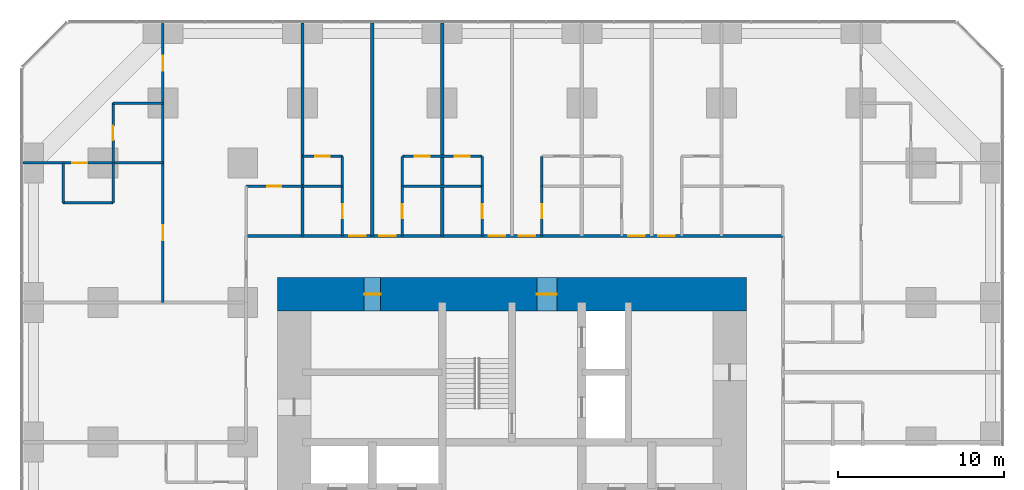
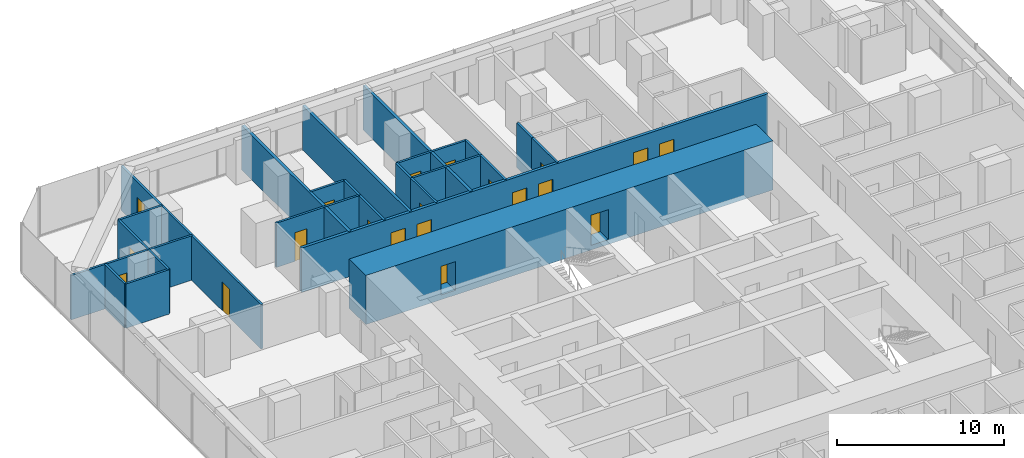
# One storey, part 15 of 18: 25 walls, 20 doors, 20 openings.
"""IFC4 building model written with IfcOpenShell, lengths in metres."""

from ifc_helpers import new_model, si_unit, direction, frame, frame_2d, origin, place, context, subcontext, project, spatial, rectangle, extrude, material, layer, layer_set, type_object, element, fill, save


model = new_model("IFC4")

# Units and contexts
model_context = context("Model", 3, precision=1e-05, world=origin(), true_north=direction((0.0, 1.0)))
body_context = subcontext(model_context, "Body", "Model", "MODEL_VIEW")
ifc_project = project(units=[si_unit("LENGTHUNIT", "METRE"), si_unit("AREAUNIT", "SQUARE_METRE"), si_unit("VOLUMEUNIT", "CUBIC_METRE"), si_unit("PLANEANGLEUNIT", "RADIAN"), si_unit("MASSUNIT", "GRAM", prefix="KILO")], contexts=[model_context])

# Site, building, storey
site_placement = place(None, origin())
site = spatial("IfcSite", under=ifc_project, at=site_placement, CompositionType="ELEMENT")
building_placement = place(site_placement, origin())
building = spatial("IfcBuilding", under=site, at=building_placement, Name="Dunama Terrace Hotel", CompositionType="ELEMENT")
storey_placement = place(building_placement, frame((0.0, 0.0, 27.0)))
storey = spatial("IfcBuildingStorey", under=building, at=storey_placement, Name="L05", CompositionType="ELEMENT", Elevation=27.0)

# Wall, opening, door
ifc_material_1 = material(Name="Gypsum board partition", Category="masonry")
ifc_layer_1 = layer(ifc_material_1, 0.14990234375)
ifc_layer_set_1 = layer_set([ifc_layer_1], Name="Bathroom partition 150")
wall_type_1 = type_object("IfcWallType", Name="Bathroom partition 150", PredefinedType="PARTITIONING", material=ifc_layer_set_1)
wall_1_placement = place(storey_placement, frame((5.39990234375, 50.39990234375, 0.0), z_axis=(0.0, 0.0, 1.0), x_axis=(0.0, 1.0, 0.0)))
wall_1 = element("IfcWall", 1, at=wall_1_placement, inside=storey, type_object=wall_type_1, Name="Bathroom partition 150 L05", PredefinedType="PARTITIONING", context=body_context, shape_type="SweptSolid", body=[
    extrude(rectangle(XDim=3.60009765625, YDim=0.14990234375, at=frame_2d((1.800048828125, 0.0))), origin(), (0.0, 0.0, 1.0), 3.25),
])
opening_1_placement = place(wall_1_placement, frame((1.375, 0.0, 0.0)))
opening_1 = element("IfcOpeningElement", 2, at=opening_1_placement, cuts=wall_1, Name="Opening L05-095", PredefinedType="OPENING", context=body_context, shape_type="SweptSolid", body=[
    extrude(rectangle(XDim=0.85009765625, YDim=2.10009765625, at=frame_2d((0.425048828125, 1.050048828125))), frame((0.0, 0.0849609375, 0.0), z_axis=(0.0, -1.0, 0.0), x_axis=(1.0, 0.0, 0.0)), (0.0, 0.0, 1.0), 0.169921875),
])
ifc_material_2 = material(Name="Timber door with steel frame", Category="steel")
door_type_1 = type_object("IfcDoorType", Name="Bathroom door 850", OperationType="SINGLE_SWING_LEFT", PredefinedType="DOOR", material=ifc_material_2)
door_1_placement = place(opening_1_placement, frame((0.85009765625, 0.0, 0.0), z_axis=(0.0, 0.0, 1.0), x_axis=(-1.0, 0.0, 0.0)))
door_1 = element("IfcDoor", 3, at=door_1_placement, inside=storey, type_object=door_type_1, Name="Door to en-suite bathroom L05-095, type D2", OperationType="SINGLE_SWING_RIGHT", OverallHeight=2.10009765625, OverallWidth=0.85009765625, PredefinedType="DOOR", context=body_context, shape_type="SweptSolid", body=[
    extrude(rectangle(XDim=0.85009765625, YDim=2.10009765625, at=frame_2d((0.425048828125, 1.050048828125))), frame((0.0, 0.025146484375, 0.0), z_axis=(0.0, -1.0, 0.0), x_axis=(1.0, 0.0, 0.0)), (0.0, 0.0, 1.0), 0.050048828125),
])
fill(opening_1, door_1)

wall_2_placement = place(storey_placement, frame((19.199951171875, 46.0, 0.0), z_axis=(0.0, 0.0, 1.0), x_axis=(0.0, 1.0, 0.0)))
wall_2 = element("IfcWall", 4, at=wall_2_placement, inside=storey, type_object=wall_type_1, Name="Bathroom partition 150 L05", PredefinedType="PARTITIONING", context=body_context, shape_type="SweptSolid", body=[
    extrude(rectangle(XDim=3.0, YDim=0.14990234375, at=frame_2d((1.5, 0.0))), origin(), (0.0, 0.0, 1.0), 3.25),
])
opening_2_placement = place(wall_2_placement, frame((1.074951171875, 0.0, 0.0)))
opening_2 = element("IfcOpeningElement", 5, at=opening_2_placement, cuts=wall_2, Name="Opening L05-044", PredefinedType="OPENING", context=body_context, shape_type="SweptSolid", body=[
    extrude(rectangle(XDim=0.85009765625, YDim=2.10009765625, at=frame_2d((0.425048828125, 1.050048828125))), frame((0.0, 0.0849609375, 0.0), z_axis=(0.0, -1.0, 0.0), x_axis=(1.0, 0.0, 0.0)), (0.0, 0.0, 1.0), 0.169921875),
])
door_2_placement = place(opening_2_placement, origin())
door_2 = element("IfcDoor", 6, at=door_2_placement, inside=storey, type_object=door_type_1, Name="Door to en-suite bathroom L05-044, type D2", OperationType="SINGLE_SWING_LEFT", OverallHeight=2.10009765625, OverallWidth=0.85009765625, PredefinedType="DOOR", context=body_context, shape_type="SweptSolid", body=[
    extrude(rectangle(XDim=0.85009765625, YDim=2.10009765625, at=frame_2d((0.425048828125, 1.050048828125))), frame((0.0, 0.02490234375, 0.0), z_axis=(0.0, -1.0, 0.0), x_axis=(1.0, 0.0, 0.0)), (0.0, 0.0, 1.0), 0.050048828125),
])
fill(opening_2, door_2)

wall_3_placement = place(storey_placement, frame((22.800048828125, 46.0, 0.0), z_axis=(0.0, 0.0, 1.0), x_axis=(0.0, 1.0, 0.0)))
wall_3 = element("IfcWall", 7, at=wall_3_placement, inside=storey, type_object=wall_type_1, Name="Bathroom partition 150 L05", PredefinedType="PARTITIONING", context=body_context, shape_type="SweptSolid", body=[
    extrude(rectangle(XDim=3.0, YDim=0.14990234375, at=frame_2d((1.5, 0.0))), origin(), (0.0, 0.0, 1.0), 3.25),
])
opening_3_placement = place(wall_3_placement, frame((1.074951171875, 0.0, 0.0)))
opening_3 = element("IfcOpeningElement", 8, at=opening_3_placement, cuts=wall_3, Name="Opening L05-047", PredefinedType="OPENING", context=body_context, shape_type="SweptSolid", body=[
    extrude(rectangle(XDim=0.85009765625, YDim=2.10009765625, at=frame_2d((0.425048828125, 1.050048828125))), frame((0.0, 0.0849609375, 0.0), z_axis=(0.0, -1.0, 0.0), x_axis=(1.0, 0.0, 0.0)), (0.0, 0.0, 1.0), 0.169921875),
])
door_3_placement = place(opening_3_placement, frame((0.85009765625, 0.0, 0.0), z_axis=(0.0, 0.0, 1.0), x_axis=(-1.0, 0.0, 0.0)))
door_3 = element("IfcDoor", 9, at=door_3_placement, inside=storey, type_object=door_type_1, Name="Door to en-suite bathroom L05-047, type D2", OperationType="SINGLE_SWING_RIGHT", OverallHeight=2.10009765625, OverallWidth=0.85009765625, PredefinedType="DOOR", context=body_context, shape_type="SweptSolid", body=[
    extrude(rectangle(XDim=0.85009765625, YDim=2.10009765625, at=frame_2d((0.425048828125, 1.050048828125))), frame((0.0, 0.025146484375, 0.0), z_axis=(0.0, -1.0, 0.0), x_axis=(1.0, 0.0, 0.0)), (0.0, 0.0, 1.0), 0.050048828125),
])
fill(opening_3, door_3)

wall_4_placement = place(storey_placement, frame((27.60009765625, 46.0, 0.0), z_axis=(0.0, 0.0, 1.0), x_axis=(0.0, 1.0, 0.0)))
wall_4 = element("IfcWall", 10, at=wall_4_placement, inside=storey, type_object=wall_type_1, Name="Bathroom partition 150 L05", PredefinedType="PARTITIONING", context=body_context, shape_type="SweptSolid", body=[
    extrude(rectangle(XDim=3.0, YDim=0.14990234375, at=frame_2d((1.5, 0.0))), origin(), (0.0, 0.0, 1.0), 3.25),
])
opening_4_placement = place(wall_4_placement, frame((1.074951171875, 0.0, 0.0)))
opening_4 = element("IfcOpeningElement", 11, at=opening_4_placement, cuts=wall_4, Name="Opening L05-050", PredefinedType="OPENING", context=body_context, shape_type="SweptSolid", body=[
    extrude(rectangle(XDim=0.85009765625, YDim=2.10009765625, at=frame_2d((0.425048828125, 1.050048828125))), frame((0.0, 0.0849609375, 0.0), z_axis=(0.0, -1.0, 0.0), x_axis=(1.0, 0.0, 0.0)), (0.0, 0.0, 1.0), 0.169921875),
])
door_4_placement = place(opening_4_placement, origin())
door_4 = element("IfcDoor", 12, at=door_4_placement, inside=storey, type_object=door_type_1, Name="Door to en-suite bathroom L05-050, type D2", OperationType="SINGLE_SWING_LEFT", OverallHeight=2.10009765625, OverallWidth=0.85009765625, PredefinedType="DOOR", context=body_context, shape_type="SweptSolid", body=[
    extrude(rectangle(XDim=0.85009765625, YDim=2.10009765625, at=frame_2d((0.425048828125, 1.050048828125))), frame((0.0, 0.02490234375, 0.0), z_axis=(0.0, -1.0, 0.0), x_axis=(1.0, 0.0, 0.0)), (0.0, 0.0, 1.0), 0.050048828125),
])
fill(opening_4, door_4)

wall_5_placement = place(storey_placement, frame((31.199951171875, 46.0, 0.0), z_axis=(0.0, 0.0, 1.0), x_axis=(0.0, 1.0, 0.0)))
wall_5 = element("IfcWall", 13, at=wall_5_placement, inside=storey, type_object=wall_type_1, Name="Bathroom partition 150 L05", PredefinedType="PARTITIONING", context=body_context, shape_type="SweptSolid", body=[
    extrude(rectangle(XDim=3.0, YDim=0.14990234375, at=frame_2d((1.5, 0.0))), origin(), (0.0, 0.0, 1.0), 3.25),
])
opening_5_placement = place(wall_5_placement, frame((1.074951171875, 0.0, 0.0)))
opening_5 = element("IfcOpeningElement", 14, at=opening_5_placement, cuts=wall_5, Name="Opening L05-053", PredefinedType="OPENING", context=body_context, shape_type="SweptSolid", body=[
    extrude(rectangle(XDim=0.85009765625, YDim=2.10009765625, at=frame_2d((0.425048828125, 1.050048828125))), frame((0.0, 0.0849609375, 0.0), z_axis=(0.0, -1.0, 0.0), x_axis=(1.0, 0.0, 0.0)), (0.0, 0.0, 1.0), 0.169921875),
])
door_5_placement = place(opening_5_placement, frame((0.85009765625, 0.0, 0.0), z_axis=(0.0, 0.0, 1.0), x_axis=(-1.0, 0.0, 0.0)))
door_5 = element("IfcDoor", 15, at=door_5_placement, inside=storey, type_object=door_type_1, Name="Door to en-suite bathroom L05-053, type D2", OperationType="SINGLE_SWING_RIGHT", OverallHeight=2.10009765625, OverallWidth=0.85009765625, PredefinedType="DOOR", context=body_context, shape_type="SweptSolid", body=[
    extrude(rectangle(XDim=0.85009765625, YDim=2.10009765625, at=frame_2d((0.425048828125, 1.050048828125))), frame((0.0, 0.025146484375, 0.0), z_axis=(0.0, -1.0, 0.0), x_axis=(1.0, 0.0, 0.0)), (0.0, 0.0, 1.0), 0.050048828125),
])
fill(opening_5, door_5)

wall_6_placement = place(storey_placement, frame((13.39990234375, 49.0, 0.0), z_axis=(0.0, 0.0, 1.0), x_axis=(1.0, 0.0, 0.0)))
wall_6 = element("IfcWall", 16, at=wall_6_placement, inside=storey, type_object=wall_type_1, Name="Bathroom partition 150 L05", PredefinedType="PARTITIONING", context=body_context, shape_type="SweptSolid", body=[
    extrude(rectangle(XDim=3.400146484375, YDim=0.14990234375, at=frame_2d((1.7001953125, 0.0))), origin(), (0.0, 0.0, 1.0), 3.25),
])
opening_6_placement = place(wall_6_placement, frame((1.27490234375, 0.0, 0.0)))
opening_6 = element("IfcOpeningElement", 17, at=opening_6_placement, cuts=wall_6, Name="Opening L05-093", PredefinedType="OPENING", context=body_context, shape_type="SweptSolid", body=[
    extrude(rectangle(XDim=0.85009765625, YDim=2.10009765625, at=frame_2d((0.425048828125, 1.050048828125))), frame((0.0, 0.0849609375, 0.0), z_axis=(0.0, -1.0, 0.0), x_axis=(1.0, 0.0, 0.0)), (0.0, 0.0, 1.0), 0.169921875),
])
door_6_placement = place(opening_6_placement, frame((0.85009765625, 0.0, 0.0), z_axis=(0.0, 0.0, 1.0), x_axis=(-1.0, 0.0, 0.0)))
door_6 = element("IfcDoor", 18, at=door_6_placement, inside=storey, type_object=door_type_1, Name="Door to powder room L05-093, type D2", OperationType="SINGLE_SWING_RIGHT", OverallHeight=2.10009765625, OverallWidth=0.85009765625, PredefinedType="DOOR", context=body_context, shape_type="SweptSolid", body=[
    extrude(rectangle(XDim=0.85009765625, YDim=2.10009765625, at=frame_2d((0.425048828125, 1.050048828125))), frame((0.0, 0.025146484375, 0.0), z_axis=(0.0, -1.0, 0.0), x_axis=(1.0, 0.0, 0.0)), (0.0, 0.0, 1.0), 0.050048828125),
])
fill(opening_6, door_6)

# Wall
wall_7_placement = place(storey_placement, frame((5.39990234375, 54.0, 0.0), z_axis=(0.0, 0.0, 1.0), x_axis=(1.0, 0.0, 0.0)))
element("IfcWall", 19, at=wall_7_placement, inside=storey, type_object=wall_type_1, Name="Bathroom partition 150 L05", PredefinedType="PARTITIONING", context=body_context, shape_type="SweptSolid", body=[
    extrude(rectangle(XDim=3.0, YDim=0.14990234375, at=frame_2d((1.5, 0.0))), origin(), (0.0, 0.0, 1.0), 3.25),
])

# Wall, openings, doors
ifc_material_3 = material(Name="Concrete C60/75", Category="concrete")
ifc_layer_2 = layer(ifc_material_3, 2.0)
ifc_layer_set_2 = layer_set([ifc_layer_2], Name="Core wall 2000")
wall_type_2 = type_object("IfcWallType", Name="Core wall 2000", PredefinedType="SHEAR", material=ifc_layer_set_2)
wall_8_placement = place(storey_placement, frame((43.5, 42.5, -0.35009765625), z_axis=(0.0, 0.0, 1.0), x_axis=(-1.0, 0.0, 0.0)))
wall_8 = element("IfcWall", 20, at=wall_8_placement, inside=storey, type_object=wall_type_2, Name="Core wall north L05", PredefinedType="SHEAR", context=body_context, shape_type="SweptSolid", body=[
    extrude(rectangle(XDim=28.199951171875, YDim=2.0, at=frame_2d((14.10009765625, 0.0))), origin(), (0.0, 0.0, 1.0), 3.60009765625),
])
opening_7_placement = place(wall_8_placement, frame((22.0, 0.0, 0.35009765625)))
opening_7 = element("IfcOpeningElement", 21, at=opening_7_placement, cuts=wall_8, Name="Opening L05-101", PredefinedType="OPENING", context=body_context, shape_type="SweptSolid", body=[
    extrude(rectangle(XDim=1.0, YDim=2.10009765625, at=frame_2d((0.5, 1.050048828125))), frame((0.0, 1.010009765625, 0.0), z_axis=(0.0, -1.0, 0.0), x_axis=(1.0, 0.0, 0.0)), (0.0, 0.0, 1.0), 2.02001953125),
])
opening_8_placement = place(wall_8_placement, frame((11.39990234375, 0.0, 0.35009765625)))
opening_8 = element("IfcOpeningElement", 22, at=opening_8_placement, cuts=wall_8, Name="Opening L05-107", PredefinedType="OPENING", context=body_context, shape_type="SweptSolid", body=[
    extrude(rectangle(XDim=1.199951171875, YDim=2.199951171875, at=frame_2d((0.60009765625, 1.10009765625))), frame((0.0, 1.010009765625, 0.0), z_axis=(0.0, -1.0, 0.0), x_axis=(1.0, 0.0, 0.0)), (0.0, 0.0, 1.0), 2.02001953125),
])
ifc_material_4 = material(Name="Timber door with steel frame", Category="steel")
door_type_2 = type_object("IfcDoorType", Name="Firefighting lobby door 1200", OperationType="SINGLE_SWING_LEFT", PredefinedType="DOOR", material=ifc_material_4)
door_7_placement = place(opening_8_placement, origin())
door_7 = element("IfcDoor", 23, at=door_7_placement, inside=storey, type_object=door_type_2, Name="Door to firefighting lobby L05-107, type D4", OperationType="SINGLE_SWING_LEFT", OverallHeight=2.199951171875, OverallWidth=1.199951171875, PredefinedType="DOOR", context=body_context, shape_type="SweptSolid", body=[
    extrude(rectangle(XDim=1.199951171875, YDim=2.199951171875, at=frame_2d((0.60009765625, 1.10009765625))), frame((0.0, 0.02490234375, 0.0), z_axis=(0.0, -1.0, 0.0), x_axis=(1.0, 0.0, 0.0)), (0.0, 0.0, 1.0), 0.050048828125),
])
fill(opening_8, door_7)
ifc_material_5 = material(Name="Timber door with steel frame", Category="steel")
door_type_3 = type_object("IfcDoorType", Name="Service door 1000", OperationType="SINGLE_SWING_LEFT", PredefinedType="DOOR", material=ifc_material_5)
door_8_placement = place(opening_7_placement, origin())
door_8 = element("IfcDoor", 24, at=door_8_placement, inside=storey, type_object=door_type_3, Name="Door to communications and riser room L05-101, type D7", OperationType="SINGLE_SWING_RIGHT", OverallHeight=2.10009765625, OverallWidth=1.0, PredefinedType="DOOR", context=body_context, shape_type="SweptSolid", body=[
    extrude(rectangle(XDim=1.0, YDim=2.10009765625, at=frame_2d((0.5, 1.050048828125))), frame((0.0, 0.02490234375, 0.0), z_axis=(0.0, -1.0, 0.0), x_axis=(1.0, 0.0, 0.0)), (0.0, 0.0, 1.0), 0.050048828125),
])
fill(opening_7, door_8)

ifc_material_6 = material(Name="Concrete blockwork", Category="masonry")
ifc_layer_3 = layer(ifc_material_6, 0.199951171875)
ifc_layer_set_3 = layer_set([ifc_layer_3], Name="Corridor partition 200")
wall_type_3 = type_object("IfcWallType", Name="Corridor partition 200", PredefinedType="PARTITIONING", material=ifc_layer_set_3)
wall_9_placement = place(storey_placement, frame((13.39990234375, 46.0, 0.0), z_axis=(0.0, 0.0, 1.0), x_axis=(1.0, 0.0, 0.0)))
wall_9 = element("IfcWall", 25, at=wall_9_placement, inside=storey, type_object=wall_type_3, Name="Corridor partition 200 L05", PredefinedType="PARTITIONING", context=body_context, shape_type="SweptSolid", body=[
    extrude(rectangle(XDim=32.300048828125, YDim=0.199951171875, at=frame_2d((16.14990234375, 0.0))), origin(), (0.0, 0.0, 1.0), 3.25),
])
opening_9_placement = place(wall_9_placement, frame((6.199951171875, 0.0, 0.0)))
opening_9 = element("IfcOpeningElement", 26, at=opening_9_placement, cuts=wall_9, Name="Opening L05-043", PredefinedType="OPENING", context=body_context, shape_type="SweptSolid", body=[
    extrude(rectangle(XDim=1.0, YDim=2.199951171875, at=frame_2d((0.5, 1.10009765625))), frame((0.0, 0.10986328125, 0.0), z_axis=(0.0, -1.0, 0.0), x_axis=(1.0, 0.0, 0.0)), (0.0, 0.0, 1.0), 0.219970703125),
])
opening_10_placement = place(wall_9_placement, frame((8.0, 0.0, 0.0)))
opening_10 = element("IfcOpeningElement", 27, at=opening_10_placement, cuts=wall_9, Name="Opening L05-046", PredefinedType="OPENING", context=body_context, shape_type="SweptSolid", body=[
    extrude(rectangle(XDim=1.0, YDim=2.199951171875, at=frame_2d((0.5, 1.10009765625))), frame((0.0, 0.10986328125, 0.0), z_axis=(0.0, -1.0, 0.0), x_axis=(1.0, 0.0, 0.0)), (0.0, 0.0, 1.0), 0.219970703125),
])
opening_11_placement = place(wall_9_placement, frame((14.60009765625, 0.0, 0.0)))
opening_11 = element("IfcOpeningElement", 28, at=opening_11_placement, cuts=wall_9, Name="Opening L05-049", PredefinedType="OPENING", context=body_context, shape_type="SweptSolid", body=[
    extrude(rectangle(XDim=1.0, YDim=2.199951171875, at=frame_2d((0.5, 1.10009765625))), frame((0.0, 0.10986328125, 0.0), z_axis=(0.0, -1.0, 0.0), x_axis=(1.0, 0.0, 0.0)), (0.0, 0.0, 1.0), 0.219970703125),
])
opening_12_placement = place(wall_9_placement, frame((16.39990234375, 0.0, 0.0)))
opening_12 = element("IfcOpeningElement", 29, at=opening_12_placement, cuts=wall_9, Name="Opening L05-052", PredefinedType="OPENING", context=body_context, shape_type="SweptSolid", body=[
    extrude(rectangle(XDim=1.0, YDim=2.199951171875, at=frame_2d((0.5, 1.10009765625))), frame((0.0, 0.10986328125, 0.0), z_axis=(0.0, -1.0, 0.0), x_axis=(1.0, 0.0, 0.0)), (0.0, 0.0, 1.0), 0.219970703125),
])
opening_13_placement = place(wall_9_placement, frame((23.0, 0.0, 0.0)))
opening_13 = element("IfcOpeningElement", 30, at=opening_13_placement, cuts=wall_9, Name="Opening L05-055", PredefinedType="OPENING", context=body_context, shape_type="SweptSolid", body=[
    extrude(rectangle(XDim=1.0, YDim=2.199951171875, at=frame_2d((0.5, 1.10009765625))), frame((0.0, 0.10986328125, 0.0), z_axis=(0.0, -1.0, 0.0), x_axis=(1.0, 0.0, 0.0)), (0.0, 0.0, 1.0), 0.219970703125),
])
opening_14_placement = place(wall_9_placement, frame((24.800048828125, 0.0, 0.0)))
opening_14 = element("IfcOpeningElement", 31, at=opening_14_placement, cuts=wall_9, Name="Opening L05-058", PredefinedType="OPENING", context=body_context, shape_type="SweptSolid", body=[
    extrude(rectangle(XDim=1.0, YDim=2.199951171875, at=frame_2d((0.5, 1.10009765625))), frame((0.0, 0.10986328125, 0.0), z_axis=(0.0, -1.0, 0.0), x_axis=(1.0, 0.0, 0.0)), (0.0, 0.0, 1.0), 0.219970703125),
])
ifc_material_7 = material(Name="Timber door with steel frame", Category="steel")
door_type_4 = type_object("IfcDoorType", Name="Guest room door 1000", OperationType="SINGLE_SWING_LEFT", PredefinedType="DOOR", material=ifc_material_7)
door_9_placement = place(opening_9_placement, origin())
door_9 = element("IfcDoor", 32, at=door_9_placement, inside=storey, type_object=door_type_4, Name="Door to deluxe room L05-043, type D1", OperationType="SINGLE_SWING_RIGHT", OverallHeight=2.199951171875, OverallWidth=1.0, PredefinedType="DOOR", context=body_context, shape_type="SweptSolid", body=[
    extrude(rectangle(XDim=1.0, YDim=2.199951171875, at=frame_2d((0.5, 1.10009765625))), frame((0.0, 0.02490234375, 0.0), z_axis=(0.0, -1.0, 0.0), x_axis=(1.0, 0.0, 0.0)), (0.0, 0.0, 1.0), 0.050048828125),
])
fill(opening_9, door_9)
door_10_placement = place(opening_10_placement, origin())
door_10 = element("IfcDoor", 33, at=door_10_placement, inside=storey, type_object=door_type_4, Name="Door to deluxe room L05-046, type D1", OperationType="SINGLE_SWING_LEFT", OverallHeight=2.199951171875, OverallWidth=1.0, PredefinedType="DOOR", context=body_context, shape_type="SweptSolid", body=[
    extrude(rectangle(XDim=1.0, YDim=2.199951171875, at=frame_2d((0.5, 1.10009765625))), frame((0.0, 0.02490234375, 0.0), z_axis=(0.0, -1.0, 0.0), x_axis=(1.0, 0.0, 0.0)), (0.0, 0.0, 1.0), 0.050048828125),
])
fill(opening_10, door_10)
door_11_placement = place(opening_11_placement, origin())
door_11 = element("IfcDoor", 34, at=door_11_placement, inside=storey, type_object=door_type_4, Name="Door to deluxe room L05-049, type D1", OperationType="SINGLE_SWING_RIGHT", OverallHeight=2.199951171875, OverallWidth=1.0, PredefinedType="DOOR", context=body_context, shape_type="SweptSolid", body=[
    extrude(rectangle(XDim=1.0, YDim=2.199951171875, at=frame_2d((0.5, 1.10009765625))), frame((0.0, 0.02490234375, 0.0), z_axis=(0.0, -1.0, 0.0), x_axis=(1.0, 0.0, 0.0)), (0.0, 0.0, 1.0), 0.050048828125),
])
fill(opening_11, door_11)
door_12_placement = place(opening_12_placement, origin())
door_12 = element("IfcDoor", 35, at=door_12_placement, inside=storey, type_object=door_type_4, Name="Door to deluxe room L05-052, type D1", OperationType="SINGLE_SWING_LEFT", OverallHeight=2.199951171875, OverallWidth=1.0, PredefinedType="DOOR", context=body_context, shape_type="SweptSolid", body=[
    extrude(rectangle(XDim=1.0, YDim=2.199951171875, at=frame_2d((0.5, 1.10009765625))), frame((0.0, 0.02490234375, 0.0), z_axis=(0.0, -1.0, 0.0), x_axis=(1.0, 0.0, 0.0)), (0.0, 0.0, 1.0), 0.050048828125),
])
fill(opening_12, door_12)
door_13_placement = place(opening_13_placement, origin())
door_13 = element("IfcDoor", 36, at=door_13_placement, inside=storey, type_object=door_type_4, Name="Door to deluxe room L05-055, type D1", OperationType="SINGLE_SWING_RIGHT", OverallHeight=2.199951171875, OverallWidth=1.0, PredefinedType="DOOR", context=body_context, shape_type="SweptSolid", body=[
    extrude(rectangle(XDim=1.0, YDim=2.199951171875, at=frame_2d((0.5, 1.10009765625))), frame((0.0, 0.02490234375, 0.0), z_axis=(0.0, -1.0, 0.0), x_axis=(1.0, 0.0, 0.0)), (0.0, 0.0, 1.0), 0.050048828125),
])
fill(opening_13, door_13)
door_14_placement = place(opening_14_placement, origin())
door_14 = element("IfcDoor", 37, at=door_14_placement, inside=storey, type_object=door_type_4, Name="Door to deluxe room L05-058, type D1", OperationType="SINGLE_SWING_LEFT", OverallHeight=2.199951171875, OverallWidth=1.0, PredefinedType="DOOR", context=body_context, shape_type="SweptSolid", body=[
    extrude(rectangle(XDim=1.0, YDim=2.199951171875, at=frame_2d((0.5, 1.10009765625))), frame((0.0, 0.02490234375, 0.0), z_axis=(0.0, -1.0, 0.0), x_axis=(1.0, 0.0, 0.0)), (0.0, 0.0, 1.0), 0.050048828125),
])
fill(opening_14, door_14)

# Walls
ifc_material_8 = material(Name="Concrete blockwork", Category="masonry")
ifc_layer_4 = layer(ifc_material_8, 0.199951171875)
ifc_layer_set_4 = layer_set([ifc_layer_4], Name="Party wall 200")
wall_type_4 = type_object("IfcWallType", Name="Party wall 200", PredefinedType="PARTITIONING", material=ifc_layer_set_4)
for number, where, z_axis, x_axis, name in (
    (38, (16.800048828125, 46.0, 0.0), (0.0, 0.0, 1.0), (0.0, 1.0, 0.0), "Party wall 200 L05"),
    (39, (21.0, 46.0, 0.0), (0.0, 0.0, 1.0), (0.0, 1.0, 0.0), "Party wall 200 L05"),
    (40, (25.199951171875, 46.0, 0.0), (0.0, 0.0, 1.0), (0.0, 1.0, 0.0), "Party wall 200 L05"),
):
    element("IfcWall", number, at=place(storey_placement, frame(where, z_axis=z_axis, x_axis=x_axis)), inside=storey, type_object=wall_type_4, Name=name, PredefinedType="PARTITIONING", context=body_context, shape_type="SweptSolid", body=[
        extrude(rectangle(XDim=12.80810546875, YDim=0.199951171875, at=frame_2d((6.404052734375, 0.0))), origin(), (0.0, 0.0, 1.0), 3.25),
    ])
ifc_material_9 = material(Name="Gypsum board partition", Category="masonry")
ifc_layer_5 = layer(ifc_material_9, 0.14990234375)
ifc_layer_set_5 = layer_set([ifc_layer_5], Name="Room partition 150")
wall_type_5 = type_object("IfcWallType", Name="Room partition 150", PredefinedType="PARTITIONING", material=ifc_layer_set_5)
for number, where, z_axis, x_axis, name in (
    (41, (2.39990234375, 48.0, 0.0), (0.0, 0.0, 1.0), (0.0, 1.0, 0.0), "Room partition 150 L05"),
    (42, (5.39990234375, 48.0, 0.0), (0.0, 0.0, 1.0), (0.0, 1.0, 0.0), "Room partition 150 L05"),
):
    element("IfcWall", number, at=place(storey_placement, frame(where, z_axis=z_axis, x_axis=x_axis)), inside=storey, type_object=wall_type_5, Name=name, PredefinedType="PARTITIONING", context=body_context, shape_type="SweptSolid", body=[
        extrude(rectangle(XDim=2.39990234375, YDim=0.14990234375, at=frame_2d((1.199951171875, 0.0))), origin(), (0.0, 0.0, 1.0), 3.25),
    ])

# Wall, openings, doors
wall_10_placement = place(storey_placement, frame((8.39990234375, 42.0, 0.0), z_axis=(0.0, 0.0, 1.0), x_axis=(0.0, 1.0, 0.0)))
wall_10 = element("IfcWall", 43, at=wall_10_placement, inside=storey, type_object=wall_type_5, Name="Room partition 150 L05", PredefinedType="PARTITIONING", context=body_context, shape_type="SweptSolid", body=[
    extrude(rectangle(XDim=16.80810546875, YDim=0.14990234375, at=frame_2d((8.404052734375, 0.0))), origin(), (0.0, 0.0, 1.0), 3.25),
])
opening_15_placement = place(wall_10_placement, frame((13.949951171875, 0.0, 0.0)))
opening_15 = element("IfcOpeningElement", 44, at=opening_15_placement, cuts=wall_10, Name="Opening L05-094", PredefinedType="OPENING", context=body_context, shape_type="SweptSolid", body=[
    extrude(rectangle(XDim=0.89990234375, YDim=2.10009765625, at=frame_2d((0.449951171875, 1.050048828125))), frame((0.0, 0.0849609375, 0.0), z_axis=(0.0, -1.0, 0.0), x_axis=(1.0, 0.0, 0.0)), (0.0, 0.0, 1.0), 0.169921875),
])
opening_16_placement = place(wall_10_placement, frame((3.75, 0.0, 0.0)))
opening_16 = element("IfcOpeningElement", 45, at=opening_16_placement, cuts=wall_10, Name="Opening L05-097", PredefinedType="OPENING", context=body_context, shape_type="SweptSolid", body=[
    extrude(rectangle(XDim=0.89990234375, YDim=2.10009765625, at=frame_2d((0.449951171875, 1.050048828125))), frame((0.0, 0.0849609375, 0.0), z_axis=(0.0, -1.0, 0.0), x_axis=(1.0, 0.0, 0.0)), (0.0, 0.0, 1.0), 0.169921875),
])
ifc_material_10 = material(Name="Timber door with steel frame", Category="steel")
door_type_5 = type_object("IfcDoorType", Name="Suite internal door 900", OperationType="SINGLE_SWING_LEFT", PredefinedType="DOOR", material=ifc_material_10)
door_15_placement = place(opening_15_placement, origin())
door_15 = element("IfcDoor", 46, at=door_15_placement, inside=storey, type_object=door_type_5, Name="Door to corner suite bedroom L05-094, type D16", OperationType="SINGLE_SWING_RIGHT", OverallHeight=2.10009765625, OverallWidth=0.89990234375, PredefinedType="DOOR", context=body_context, shape_type="SweptSolid", body=[
    extrude(rectangle(XDim=0.89990234375, YDim=2.10009765625, at=frame_2d((0.449951171875, 1.050048828125))), frame((0.0, 0.02490234375, 0.0), z_axis=(0.0, -1.0, 0.0), x_axis=(1.0, 0.0, 0.0)), (0.0, 0.0, 1.0), 0.050048828125),
])
fill(opening_15, door_15)
door_16_placement = place(opening_16_placement, origin())
door_16 = element("IfcDoor", 47, at=door_16_placement, inside=storey, type_object=door_type_5, Name="Door to corner suite study L05-097, type D16", OperationType="SINGLE_SWING_RIGHT", OverallHeight=2.10009765625, OverallWidth=0.89990234375, PredefinedType="DOOR", context=body_context, shape_type="SweptSolid", body=[
    extrude(rectangle(XDim=0.89990234375, YDim=2.10009765625, at=frame_2d((0.449951171875, 1.050048828125))), frame((0.0, 0.02490234375, 0.0), z_axis=(0.0, -1.0, 0.0), x_axis=(1.0, 0.0, 0.0)), (0.0, 0.0, 1.0), 0.050048828125),
])
fill(opening_16, door_16)

# Walls
for number, where, z_axis, x_axis, name in (
    (48, (19.199951171875, 49.0, 0.0), (0.0, 0.0, 1.0), (0.0, 1.0, 0.0), "Room partition 150 L05"),
    (49, (22.800048828125, 49.0, 0.0), (0.0, 0.0, 1.0), (0.0, 1.0, 0.0), "Room partition 150 L05"),
    (50, (27.60009765625, 49.0, 0.0), (0.0, 0.0, 1.0), (0.0, 1.0, 0.0), "Room partition 150 L05"),
    (51, (31.199951171875, 49.0, 0.0), (0.0, 0.0, 1.0), (0.0, 1.0, 0.0), "Room partition 150 L05"),
):
    element("IfcWall", number, at=place(storey_placement, frame(where, z_axis=z_axis, x_axis=x_axis)), inside=storey, type_object=wall_type_5, Name=name, PredefinedType="PARTITIONING", context=body_context, shape_type="SweptSolid", body=[
        extrude(rectangle(XDim=1.800048828125, YDim=0.14990234375, at=frame_2d((0.89990234375, 0.0))), origin(), (0.0, 0.0, 1.0), 3.25),
    ])
wall_11_placement = place(storey_placement, frame((2.39990234375, 48.0, 0.0), z_axis=(0.0, 0.0, 1.0), x_axis=(1.0, 0.0, 0.0)))
element("IfcWall", 52, at=wall_11_placement, inside=storey, type_object=wall_type_5, Name="Room partition 150 L05", PredefinedType="PARTITIONING", context=body_context, shape_type="SweptSolid", body=[
    extrude(rectangle(XDim=3.0, YDim=0.14990234375, at=frame_2d((1.5, 0.0))), origin(), (0.0, 0.0, 1.0), 3.25),
])
wall_12_placement = place(storey_placement, frame((16.800048828125, 49.0, 0.0), z_axis=(0.0, 0.0, 1.0), x_axis=(1.0, 0.0, 0.0)))
element("IfcWall", 53, at=wall_12_placement, inside=storey, type_object=wall_type_5, Name="Room partition 150 L05", PredefinedType="PARTITIONING", context=body_context, shape_type="SweptSolid", body=[
    extrude(rectangle(XDim=2.39990234375, YDim=0.14990234375, at=frame_2d((1.199951171875, 0.0))), origin(), (0.0, 0.0, 1.0), 3.25),
])
wall_13_placement = place(storey_placement, frame((22.800048828125, 49.0, 0.0), z_axis=(0.0, 0.0, 1.0), x_axis=(1.0, 0.0, 0.0)))
element("IfcWall", 54, at=wall_13_placement, inside=storey, type_object=wall_type_5, Name="Room partition 150 L05", PredefinedType="PARTITIONING", context=body_context, shape_type="SweptSolid", body=[
    extrude(rectangle(XDim=4.800048828125, YDim=0.14990234375, at=frame_2d((2.39990234375, 0.0))), origin(), (0.0, 0.0, 1.0), 3.25),
])

# Wall, opening, door
wall_14_placement = place(storey_placement, frame((-0.008056640625, 50.39990234375, 0.0), z_axis=(0.0, 0.0, 1.0), x_axis=(1.0, 0.0, 0.0)))
wall_14 = element("IfcWall", 55, at=wall_14_placement, inside=storey, type_object=wall_type_5, Name="Room partition 150 L05", PredefinedType="PARTITIONING", context=body_context, shape_type="SweptSolid", body=[
    extrude(rectangle(XDim=8.407958984375, YDim=0.14990234375, at=frame_2d((4.2041015625, 0.0))), origin(), (0.0, 0.0, 1.0), 3.25),
])
opening_17_placement = place(wall_14_placement, frame((2.9580078125, 0.0, 0.0)))
opening_17 = element("IfcOpeningElement", 56, at=opening_17_placement, cuts=wall_14, Name="Opening L05-096", PredefinedType="OPENING", context=body_context, shape_type="SweptSolid", body=[
    extrude(rectangle(XDim=0.89990234375, YDim=2.10009765625, at=frame_2d((0.449951171875, 1.050048828125))), frame((0.0, 0.0849609375, 0.0), z_axis=(0.0, -1.0, 0.0), x_axis=(1.0, 0.0, 0.0)), (0.0, 0.0, 1.0), 0.169921875),
])
door_17_placement = place(opening_17_placement, frame((0.89990234375, 0.0, 0.0), z_axis=(0.0, 0.0, 1.0), x_axis=(-1.0, 0.0, 0.0)))
door_17 = element("IfcDoor", 57, at=door_17_placement, inside=storey, type_object=door_type_5, Name="Door to dressing room L05-096, type D16", OperationType="SINGLE_SWING_LEFT", OverallHeight=2.10009765625, OverallWidth=0.89990234375, PredefinedType="DOOR", context=body_context, shape_type="SweptSolid", body=[
    extrude(rectangle(XDim=0.89990234375, YDim=2.10009765625, at=frame_2d((0.449951171875, 1.050048828125))), frame((0.0, 0.025146484375, 0.0), z_axis=(0.0, -1.0, 0.0), x_axis=(1.0, 0.0, 0.0)), (0.0, 0.0, 1.0), 0.050048828125),
])
fill(opening_17, door_17)

wall_15_placement = place(storey_placement, frame((16.800048828125, 50.800048828125, 0.0), z_axis=(0.0, 0.0, 1.0), x_axis=(1.0, 0.0, 0.0)))
wall_15 = element("IfcWall", 58, at=wall_15_placement, inside=storey, type_object=wall_type_5, Name="Room partition 150 L05", PredefinedType="PARTITIONING", context=body_context, shape_type="SweptSolid", body=[
    extrude(rectangle(XDim=2.39990234375, YDim=0.14990234375, at=frame_2d((1.199951171875, 0.0))), origin(), (0.0, 0.0, 1.0), 3.25),
])
opening_18_placement = place(wall_15_placement, frame((0.75, 0.0, 0.0)))
opening_18 = element("IfcOpeningElement", 59, at=opening_18_placement, cuts=wall_15, Name="Opening L05-045", PredefinedType="OPENING", context=body_context, shape_type="SweptSolid", body=[
    extrude(rectangle(XDim=0.89990234375, YDim=2.10009765625, at=frame_2d((0.449951171875, 1.050048828125))), frame((0.0, 0.0849609375, 0.0), z_axis=(0.0, -1.0, 0.0), x_axis=(1.0, 0.0, 0.0)), (0.0, 0.0, 1.0), 0.169921875),
])
door_18_placement = place(opening_18_placement, frame((0.89990234375, 0.0, 0.0), z_axis=(0.0, 0.0, 1.0), x_axis=(-1.0, 0.0, 0.0)))
door_18 = element("IfcDoor", 60, at=door_18_placement, inside=storey, type_object=door_type_5, Name="Door to walk-in wardrobe L05-045, type D16", OperationType="SINGLE_SWING_RIGHT", OverallHeight=2.10009765625, OverallWidth=0.89990234375, PredefinedType="DOOR", context=body_context, shape_type="SweptSolid", body=[
    extrude(rectangle(XDim=0.89990234375, YDim=2.10009765625, at=frame_2d((0.449951171875, 1.050048828125))), frame((0.0, 0.025146484375, 0.0), z_axis=(0.0, -1.0, 0.0), x_axis=(1.0, 0.0, 0.0)), (0.0, 0.0, 1.0), 0.050048828125),
])
fill(opening_18, door_18)

# Wall, openings, doors
wall_16_placement = place(storey_placement, frame((22.800048828125, 50.800048828125, 0.0), z_axis=(0.0, 0.0, 1.0), x_axis=(1.0, 0.0, 0.0)))
wall_16 = element("IfcWall", 61, at=wall_16_placement, inside=storey, type_object=wall_type_5, Name="Room partition 150 L05", PredefinedType="PARTITIONING", context=body_context, shape_type="SweptSolid", body=[
    extrude(rectangle(XDim=4.800048828125, YDim=0.14990234375, at=frame_2d((2.39990234375, 0.0))), origin(), (0.0, 0.0, 1.0), 3.25),
])
opening_19_placement = place(wall_16_placement, frame((0.75, 0.0, 0.0)))
opening_19 = element("IfcOpeningElement", 62, at=opening_19_placement, cuts=wall_16, Name="Opening L05-048", PredefinedType="OPENING", context=body_context, shape_type="SweptSolid", body=[
    extrude(rectangle(XDim=0.89990234375, YDim=2.10009765625, at=frame_2d((0.449951171875, 1.050048828125))), frame((0.0, 0.0849609375, 0.0), z_axis=(0.0, -1.0, 0.0), x_axis=(1.0, 0.0, 0.0)), (0.0, 0.0, 1.0), 0.169921875),
])
opening_20_placement = place(wall_16_placement, frame((3.14990234375, 0.0, 0.0)))
opening_20 = element("IfcOpeningElement", 63, at=opening_20_placement, cuts=wall_16, Name="Opening L05-051", PredefinedType="OPENING", context=body_context, shape_type="SweptSolid", body=[
    extrude(rectangle(XDim=0.89990234375, YDim=2.10009765625, at=frame_2d((0.449951171875, 1.050048828125))), frame((0.0, 0.0849609375, 0.0), z_axis=(0.0, -1.0, 0.0), x_axis=(1.0, 0.0, 0.0)), (0.0, 0.0, 1.0), 0.169921875),
])
door_19_placement = place(opening_19_placement, frame((0.89990234375, 0.0, 0.0), z_axis=(0.0, 0.0, 1.0), x_axis=(-1.0, 0.0, 0.0)))
door_19 = element("IfcDoor", 64, at=door_19_placement, inside=storey, type_object=door_type_5, Name="Door to walk-in wardrobe L05-048, type D16", OperationType="SINGLE_SWING_LEFT", OverallHeight=2.10009765625, OverallWidth=0.89990234375, PredefinedType="DOOR", context=body_context, shape_type="SweptSolid", body=[
    extrude(rectangle(XDim=0.89990234375, YDim=2.10009765625, at=frame_2d((0.449951171875, 1.050048828125))), frame((0.0, 0.025146484375, 0.0), z_axis=(0.0, -1.0, 0.0), x_axis=(1.0, 0.0, 0.0)), (0.0, 0.0, 1.0), 0.050048828125),
])
fill(opening_19, door_19)
door_20_placement = place(opening_20_placement, frame((0.89990234375, 0.0, 0.0), z_axis=(0.0, 0.0, 1.0), x_axis=(-1.0, 0.0, 0.0)))
door_20 = element("IfcDoor", 65, at=door_20_placement, inside=storey, type_object=door_type_5, Name="Door to walk-in wardrobe L05-051, type D16", OperationType="SINGLE_SWING_RIGHT", OverallHeight=2.10009765625, OverallWidth=0.89990234375, PredefinedType="DOOR", context=body_context, shape_type="SweptSolid", body=[
    extrude(rectangle(XDim=0.89990234375, YDim=2.10009765625, at=frame_2d((0.449951171875, 1.050048828125))), frame((0.0, 0.025146484375, 0.0), z_axis=(0.0, -1.0, 0.0), x_axis=(1.0, 0.0, 0.0)), (0.0, 0.0, 1.0), 0.050048828125),
])
fill(opening_20, door_20)

save(model, "model.ifc")
